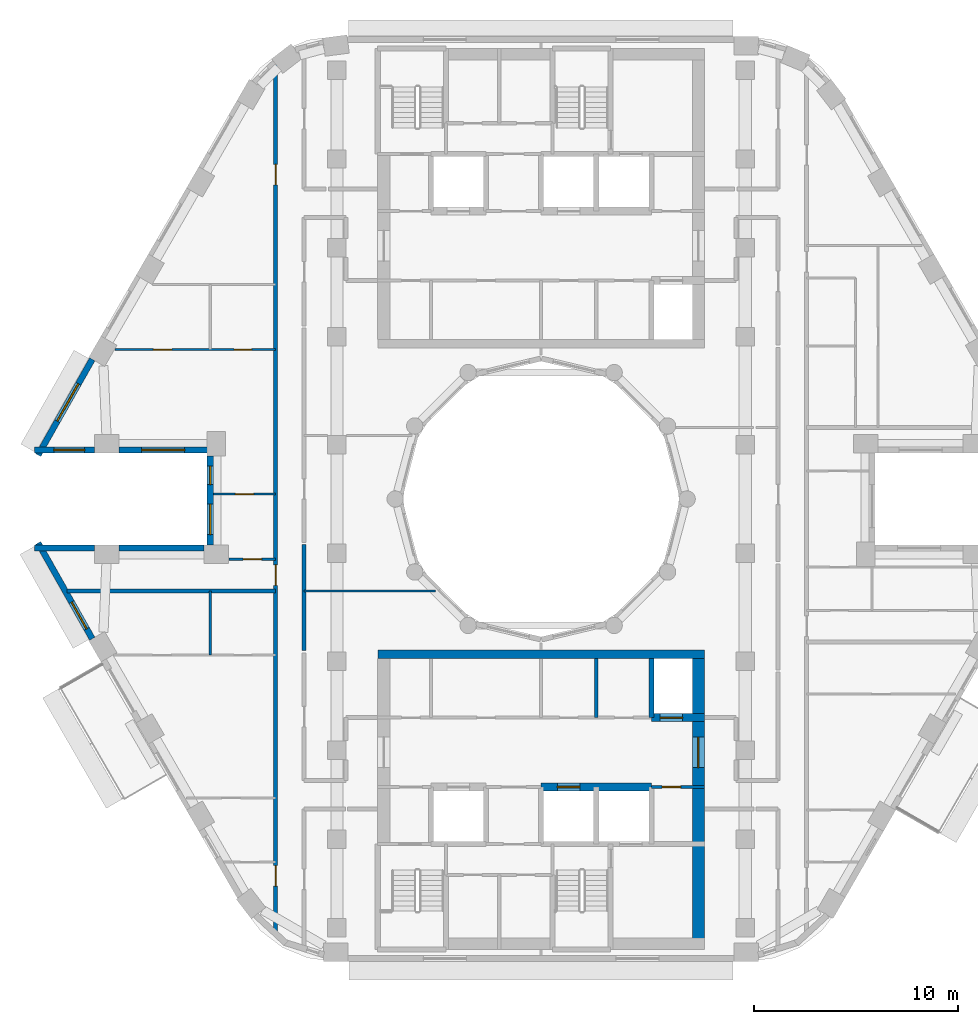
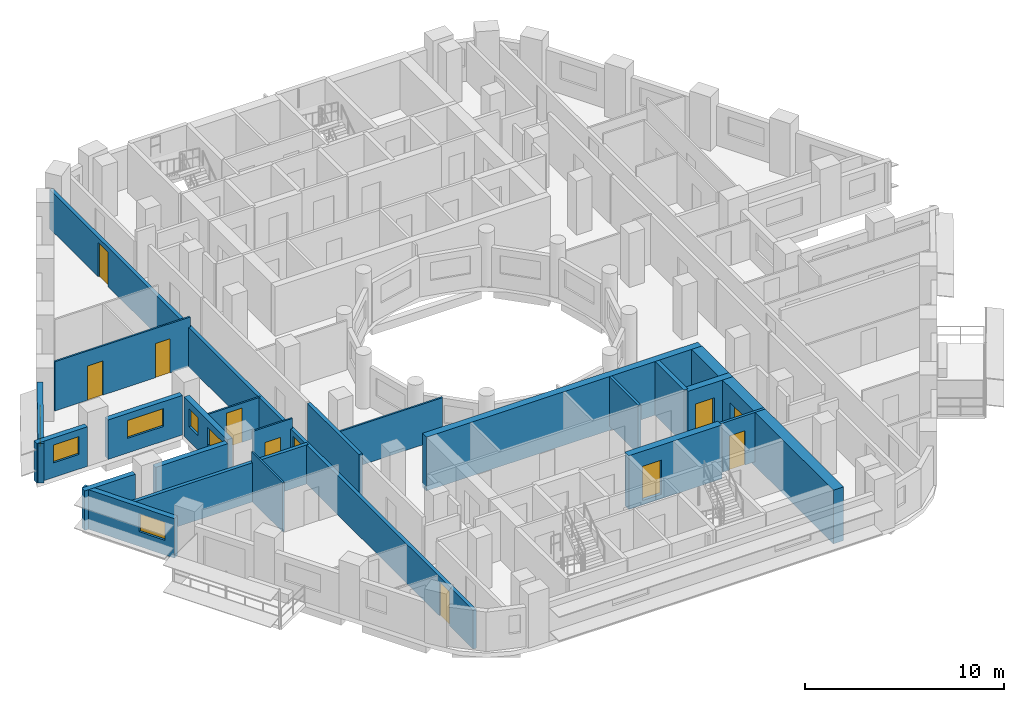
# One storey, part 4 of 16: 22 walls, 11 doors, 6 windows, 17 openings.
"""IFC4 building model written with IfcOpenShell, lengths in metres."""

import ifcopenshell
import ifcopenshell.guid

model = None  # the IFC model being written
_history = None  # IfcOwnerHistory: only IFC2X3 demands one
_inside = {}  # id of a spatial element -> (the spatial element, [elements in it])
_under = {}  # id of a project, library or spatial element -> (it, [spatial elements below it])
_declared = {}  # id of a project -> (the project, [libraries it declares])
_typed = {}  # id of a type object -> (the type object, [elements of that type])
_made_of = {}  # id of a material, layer set ... -> (it, [elements and type objects made of it])


def new_model(schema):
    """Start an empty IFC model of exactly this schema.

    Asked for "IFC4X3", IfcOpenShell would pick the latest addendum, in which some entities
    have other attributes; the version numbers below select the first issue.
    IFC2X3 requires an IfcOwnerHistory on every rooted entity: one is made here for all.
    """
    global model, _history
    if schema == "IFC4X3":
        model = ifcopenshell.file(schema_version=(4, 3, 0, 0))
    else:
        model = ifcopenshell.file(schema=schema)
    _inside.clear()
    _under.clear()
    _declared.clear()
    _typed.clear()
    _made_of.clear()
    _history = None
    if model.schema == "IFC2X3":
        org = make("IfcOrganization", Name="unknown")
        user = make(
            "IfcPersonAndOrganization",
            ThePerson=make("IfcPerson", FamilyName="unknown"),
            TheOrganization=org,
        )
        app = make(
            "IfcApplication",
            ApplicationDeveloper=org,
            Version="unknown",
            ApplicationFullName="unknown",
            ApplicationIdentifier="unknown",
        )
        _history = make(
            "IfcOwnerHistory",
            OwningUser=user,
            OwningApplication=app,
            ChangeAction="ADDED",
            CreationDate=0,
        )
    return model


def make(cls, **values):
    """One entity of the class cls with the attributes given. An attribute that is None is left unset."""
    return model.create_entity(
        cls, **{name: value for name, value in values.items() if value is not None}
    )


def rooted(cls, **values):
    """An entity with a GlobalId (a new one), such as an element, a storey or a relation."""
    return make(cls, GlobalId=ifcopenshell.guid.new(), OwnerHistory=_history, **values)


def si_unit(unit_type, name, prefix=None):
    """IfcSIUnit, for example si_unit("LENGTHUNIT", "METRE", prefix="MILLI")."""
    return make("IfcSIUnit", UnitType=unit_type, Prefix=prefix, Name=name)


def assignment(units):
    """IfcUnitAssignment: the units of a project."""
    return None if units is None else make("IfcUnitAssignment", Units=units)


def point(xyz):
    """IfcCartesianPoint."""
    return None if xyz is None else make("IfcCartesianPoint", Coordinates=xyz)


def direction(xyz):
    """IfcDirection."""
    return None if xyz is None else make("IfcDirection", DirectionRatios=xyz)


def frame(location, z_axis=None, x_axis=None):
    """IfcAxis2Placement3D, a coordinate frame: its origin and axes. An axis left out is left unset."""
    return make(
        "IfcAxis2Placement3D",
        Location=point(location),
        Axis=direction(z_axis),
        RefDirection=direction(x_axis),
    )


def frame_2d(location, x_axis=None):
    """IfcAxis2Placement2D, a coordinate frame in the plane: its origin and x axis."""
    return make(
        "IfcAxis2Placement2D", Location=point(location), RefDirection=direction(x_axis)
    )


def origin():
    """The frame at (0, 0, 0) with its axes left unset."""
    return frame((0.0, 0.0, 0.0))


def place(relative_to, where):
    """IfcLocalPlacement: puts the frame where relative to a parent placement (None: the world)."""
    return make(
        "IfcLocalPlacement", PlacementRelTo=relative_to, RelativePlacement=where
    )


def context(
    kind, dimensions, precision=None, world=None, true_north=None, identifier=None
):
    """IfcGeometricRepresentationContext, for example the 3D "Model" context."""
    return make(
        "IfcGeometricRepresentationContext",
        ContextIdentifier=identifier,
        ContextType=kind,
        CoordinateSpaceDimension=dimensions,
        Precision=precision,
        WorldCoordinateSystem=world,
        TrueNorth=true_north,
    )


def subcontext(parent, identifier, kind, view, scale=None):
    """IfcGeometricRepresentationSubContext, for example "Body" below "Model"."""
    return make(
        "IfcGeometricRepresentationSubContext",
        ContextIdentifier=identifier,
        ContextType=kind,
        ParentContext=parent,
        TargetScale=scale,
        TargetView=view,
    )


def project(units=None, contexts=None):
    """IfcProject with its units and contexts."""
    return rooted(
        "IfcProject",
        Name="project",
        RepresentationContexts=contexts,
        UnitsInContext=assignment(units),
    )


def spatial(cls, under=None, at=None, **own):
    """A site, building, storey or space (cls), placed at a placement, below another one or the project."""
    s = rooted(cls, ObjectPlacement=at, **own)
    if under is not None:
        _under.setdefault(under.id(), (under, []))[1].append(s)
    return s


def profile(cls, at=None, kind="AREA", **sizes):
    """A parametric profile (cls). Its sizes go by their IFC names, for example OverallWidth=200.0."""
    return make(cls, ProfileType=kind, Position=at, **sizes)


def rectangle(**sizes):
    """IfcRectangleProfileDef."""
    return profile("IfcRectangleProfileDef", **sizes)


def extrude(swept, where, along, depth):
    """IfcExtrudedAreaSolid: the profile swept, set in the frame where, extruded along a direction by depth."""
    return make(
        "IfcExtrudedAreaSolid",
        SweptArea=swept,
        Position=where,
        ExtrudedDirection=direction(along),
        Depth=depth,
    )


def shape(context_of_items, identifier, shape_type, items):
    """IfcShapeRepresentation: the items that make up one representation, for example the "Body"."""
    return make(
        "IfcShapeRepresentation",
        ContextOfItems=context_of_items,
        RepresentationIdentifier=identifier,
        RepresentationType=shape_type,
        Items=items,
    )


def material(Name=None, Category=None):
    """IfcMaterial."""
    return make("IfcMaterial", Name=Name, Category=Category)


def layer(
    of_material, thickness, ventilated=None, Name=None, Category=None, Priority=None
):
    """IfcMaterialLayer: one layer of a wall or slab, of a material (None: an air gap)."""
    return make(
        "IfcMaterialLayer",
        Material=of_material,
        LayerThickness=thickness,
        IsVentilated=ventilated,
        Name=Name,
        Category=Category,
        Priority=Priority,
    )


def layer_set(layers, Name=None):
    """IfcMaterialLayerSet."""
    return make("IfcMaterialLayerSet", MaterialLayers=layers, LayerSetName=Name)


def made_of(thing, what):
    """Note that an element or type object is made of a material, layer set ...; save() writes the relation."""
    if what is not None:
        _made_of.setdefault(what.id(), (what, []))[1].append(thing)
    return thing


def type_object(cls, material=None, **own):
    """A type object (cls), such as IfcWallType, which elements share."""
    return made_of(rooted(cls, **own), material)


def element(
    cls,
    number,
    at=None,
    inside=None,
    cuts=None,
    type_object=None,
    material=None,
    context=None,
    identifier="Body",
    shape_type=None,
    held_by="IfcProductDefinitionShape",
    body=None,
    shapes=None,
    **own,
):
    """One element of the class cls, such as IfcWall. Its Tag is "e" and its number.

    at: its placement. inside: the storey or other place that contains it. cuts: it is an
    opening in that element (IfcRelVoidsElement). A single representation is given by context,
    identifier, shape_type and body (its items); several are given by shapes. held_by: the class
    of the entity that holds the representations. save() writes the other relations.
    """
    e = rooted(cls, Tag="e%d" % number, ObjectPlacement=at, **own)
    if body is not None:
        shapes = [shape(context, identifier, shape_type, body)]
    if shapes is not None:
        e.Representation = make(held_by, Representations=shapes)
    if inside is not None:
        _inside.setdefault(inside.id(), (inside, []))[1].append(e)
    if cuts is not None:
        rooted(
            "IfcRelVoidsElement", RelatingBuildingElement=cuts, RelatedOpeningElement=e
        )
    if type_object is not None:
        _typed.setdefault(type_object.id(), (type_object, []))[1].append(e)
    return made_of(e, material)


def fill(opening, filler):
    """IfcRelFillsElement: the door or window that sits in an opening."""
    return rooted(
        "IfcRelFillsElement",
        RelatingOpeningElement=opening,
        RelatedBuildingElement=filler,
    )


def aggregate(whole, parts):
    """IfcRelAggregates: a whole, such as a stair, and the parts it consists of."""
    return rooted("IfcRelAggregates", RelatingObject=whole, RelatedObjects=parts)


def save(model, path):
    """Write the relations noted so far, then the file.

    IfcRelAggregates (storeys below a building ...), IfcRelContainedInSpatialStructure (elements
    in a storey), IfcRelDefinesByType, IfcRelAssociatesMaterial and IfcRelDeclares: one each for
    every whole, place, type object, material and project.
    """
    for whole, parts in _under.values():
        aggregate(whole, parts)
    for where, things in _inside.values():
        rooted(
            "IfcRelContainedInSpatialStructure",
            RelatedElements=things,
            RelatingStructure=where,
        )
    for kind, things in _typed.values():
        rooted("IfcRelDefinesByType", RelatedObjects=things, RelatingType=kind)
    for what, things in _made_of.values():
        rooted("IfcRelAssociatesMaterial", RelatedObjects=things, RelatingMaterial=what)
    for by, libraries in _declared.values():
        rooted("IfcRelDeclares", RelatingContext=by, RelatedDefinitions=libraries)
    model.write(path)


model = new_model("IFC4")

# Units and contexts
model_context = context("Model", 3, precision=1e-05, world=origin(), true_north=direction((0.0, 1.0)))
body_context = subcontext(model_context, "Body", "Model", "MODEL_VIEW")
ifc_project = project(units=[si_unit("LENGTHUNIT", "METRE"), si_unit("AREAUNIT", "SQUARE_METRE"), si_unit("VOLUMEUNIT", "CUBIC_METRE"), si_unit("PLANEANGLEUNIT", "RADIAN"), si_unit("MASSUNIT", "GRAM", prefix="KILO")], contexts=[model_context])

# Site, building, storey
site_placement = place(None, origin())
site = spatial("IfcSite", under=ifc_project, at=site_placement, CompositionType="ELEMENT")
building_placement = place(site_placement, origin())
building = spatial("IfcBuilding", under=site, at=building_placement, Name="Nakaniwa Court", CompositionType="ELEMENT")
storey_placement = place(building_placement, frame((0.0, 0.0, 196.5)))
storey = spatial("IfcBuildingStorey", under=building, at=storey_placement, Name="L51", CompositionType="ELEMENT", Elevation=196.5)

# Wall
ifc_material_1 = material(Name="Acoustic double stud partition")
ifc_layer_1 = layer(ifc_material_1, 0.199951171875)
ifc_layer_set_1 = layer_set([ifc_layer_1], Name="Acoustic double stud partition")
wall_type_1 = type_object("IfcWallType", Name="Acoustic double stud partition 200", PredefinedType="PARTITIONING", material=ifc_layer_set_1)
wall_1_placement = place(storey_placement, frame((68.39990234375, 72.5771484375, 0.0), z_axis=(0.0, 0.0, 1.0), x_axis=(0.0, 1.0, 0.0)))
element("IfcWall", 1, at=wall_1_placement, inside=storey, type_object=wall_type_1, Name="Partition PW-098", PredefinedType="PARTITIONING", context=body_context, shape_type="SweptSolid", body=[
    extrude(rectangle(XDim=5.185546875, YDim=0.199951171875, at=frame_2d((2.5927734375, 0.0))), origin(), (0.0, 0.0, 1.0), 3.02490234375),
])

# Wall, openings, doors
wall_2_placement = place(storey_placement, frame((67.0, 58.67431640625, 0.0), z_axis=(0.0, 0.0, 1.0), x_axis=(0.0, 1.0, 0.0)))
wall_2 = element("IfcWall", 2, at=wall_2_placement, inside=storey, type_object=wall_type_1, Name="Partition PW-102", PredefinedType="PARTITIONING", context=body_context, shape_type="SweptSolid", body=[
    extrude(rectangle(XDim=42.591796875, YDim=0.199951171875, at=frame_2d((21.2958984375, 0.0))), origin(), (0.0, 0.0, 1.0), 2.405029296875),
])
opening_1_placement = place(wall_2_placement, frame((2.3759765625, 0.0, 0.0)))
opening_1 = element("IfcOpeningElement", 3, at=opening_1_placement, cuts=wall_2, Name="Opening D-01-04", PredefinedType="OPENING", context=body_context, shape_type="SweptSolid", body=[
    extrude(rectangle(XDim=1.0, YDim=2.10009765625, at=frame_2d((0.5, 1.050048828125))), frame((0.0, 0.10986328125, 0.0), z_axis=(0.0, -1.0, 0.0), x_axis=(1.0, 0.0, 0.0)), (0.0, 0.0, 1.0), 0.219970703125),
])
opening_2_placement = place(wall_2_placement, frame((17.10107421875, 0.0, 0.0)))
opening_2 = element("IfcOpeningElement", 4, at=opening_2_placement, cuts=wall_2, Name="Opening D-01-05", PredefinedType="OPENING", context=body_context, shape_type="SweptSolid", body=[
    extrude(rectangle(XDim=1.0, YDim=2.10009765625, at=frame_2d((0.5, 1.050048828125))), frame((0.0, 0.10986328125, 0.0), z_axis=(0.0, -1.0, 0.0), x_axis=(1.0, 0.0, 0.0)), (0.0, 0.0, 1.0), 0.219970703125),
])
opening_3_placement = place(wall_2_placement, frame((36.70703125, 0.0, 0.0)))
opening_3 = element("IfcOpeningElement", 5, at=opening_3_placement, cuts=wall_2, Name="Opening D-02-10", PredefinedType="OPENING", context=body_context, shape_type="SweptSolid", body=[
    extrude(rectangle(XDim=1.0, YDim=2.10009765625, at=frame_2d((0.5, 1.050048828125))), frame((0.0, 0.10986328125, 0.0), z_axis=(0.0, -1.0, 0.0), x_axis=(1.0, 0.0, 0.0)), (0.0, 0.0, 1.0), 0.219970703125),
])
ifc_material_2 = material(Name="Solid core timber door set, black veneer", Category="wood")
door_type_1 = type_object("IfcDoorType", Name="Flat entrance door 1000", OperationType="NOTDEFINED", PredefinedType="DOOR", material=ifc_material_2)
door_1_placement = place(opening_1_placement, origin())
door_1 = element("IfcDoor", 6, at=door_1_placement, inside=storey, type_object=door_type_1, Name="Door D-01-04 L51-043", OperationType="SINGLE_SWING_RIGHT", OverallHeight=2.10009765625, OverallWidth=1.0, PredefinedType="DOOR", context=body_context, shape_type="SweptSolid", body=[
    extrude(rectangle(XDim=1.0, YDim=2.10009765625, at=frame_2d((0.5, 1.050048828125))), frame((0.0, 0.02490234375, 0.0), z_axis=(0.0, -1.0, 0.0), x_axis=(1.0, 0.0, 0.0)), (0.0, 0.0, 1.0), 0.050048828125),
])
fill(opening_1, door_1)
door_2_placement = place(opening_2_placement, origin())
door_2 = element("IfcDoor", 7, at=door_2_placement, inside=storey, type_object=door_type_1, Name="Door D-01-05 L51-049", OperationType="SINGLE_SWING_RIGHT", OverallHeight=2.10009765625, OverallWidth=1.0, PredefinedType="DOOR", context=body_context, shape_type="SweptSolid", body=[
    extrude(rectangle(XDim=1.0, YDim=2.10009765625, at=frame_2d((0.5, 1.050048828125))), frame((0.0, 0.02490234375, 0.0), z_axis=(0.0, -1.0, 0.0), x_axis=(1.0, 0.0, 0.0)), (0.0, 0.0, 1.0), 0.050048828125),
])
fill(opening_2, door_2)
door_type_2 = type_object("IfcDoorType", Name="Internal door 1000", OperationType="NOTDEFINED", PredefinedType="DOOR", material=ifc_material_2)
door_3_placement = place(opening_3_placement, origin())
door_3 = element("IfcDoor", 8, at=door_3_placement, inside=storey, type_object=door_type_2, Name="Door D-02-10 L51-057", OperationType="SINGLE_SWING_RIGHT", OverallHeight=2.10009765625, OverallWidth=1.0, PredefinedType="DOOR", context=body_context, shape_type="SweptSolid", body=[
    extrude(rectangle(XDim=1.0, YDim=2.10009765625, at=frame_2d((0.5, 1.050048828125))), frame((0.0, 0.02490234375, 0.0), z_axis=(0.0, -1.0, 0.0), x_axis=(1.0, 0.0, 0.0)), (0.0, 0.0, 1.0), 0.050048828125),
])
fill(opening_3, door_3)

# Wall
wall_3_placement = place(storey_placement, frame((56.79052734375, 75.5, 0.0), z_axis=(0.0, 0.0, 1.0), x_axis=(1.0, 0.0, 0.0)))
element("IfcWall", 9, at=wall_3_placement, inside=storey, type_object=wall_type_1, Name="Partition PW-132", PredefinedType="PARTITIONING", context=body_context, shape_type="SweptSolid", body=[
    extrude(rectangle(XDim=10.20849609375, YDim=0.199951171875, at=frame_2d((5.104248046875, 0.0))), origin(), (0.0, 0.0, 1.0), 2.405029296875),
])

# Wall, opening, window
ifc_material_3 = material(Name="Charcoal ceramic cladding")
ifc_layer_2 = layer(ifc_material_3, 0.02, Name="Ceramic cladding")
ifc_material_4 = material(Name="Ventilated air cavity")
ifc_layer_3 = layer(ifc_material_4, 0.04, ventilated=True, Name="Ventilated cavity")
ifc_material_5 = material(Name="Mineral wool insulation")
ifc_layer_4 = layer(ifc_material_5, 0.1, Name="Insulation")
ifc_material_6 = material(Name="Cement bonded sheathing board")
ifc_layer_5 = layer(ifc_material_6, 0.012, Name="Sheathing")
ifc_material_7 = material(Name="Cold-formed galvanised stud frame with mineral wool infill")
ifc_layer_6 = layer(ifc_material_7, 0.1, Name="Stud frame")
ifc_material_8 = material(Name="Fire-rated gypsum plasterboard lining")
ifc_layer_7 = layer(ifc_material_8, 0.028, Name="Lining")
ifc_layer_set_2 = layer_set([ifc_layer_2, ifc_layer_3, ifc_layer_4, ifc_layer_5, ifc_layer_6, ifc_layer_7], Name="Charcoal ceramic faced external wall system")
wall_type_2 = type_object("IfcWallType", Name="Black ceramic faced external wall 300", PredefinedType="SOLIDWALL", material=ifc_layer_set_2)
wall_4_placement = place(storey_placement, frame((58.023193359375, 86.843017578125, 0.0), z_axis=(0.0, 0.0, 1.0), x_axis=(-0.492033360928, -0.870576344575, 0.0)))
wall_4 = element("IfcWall", 10, at=wall_4_placement, inside=storey, type_object=wall_type_2, Name="L51 external wall 14", PredefinedType="SOLIDWALL", context=body_context, shape_type="SweptSolid", body=[
    extrude(rectangle(XDim=5.38671875, YDim=0.300048828125, at=frame_2d((2.693359375, 0.0))), origin(), (0.0, 0.0, 1.0), 2.425048828125),
])
opening_4_placement = place(wall_4_placement, frame((1.38037109375, 0.0, 0.89990234375)))
opening_4 = element("IfcOpeningElement", 11, at=opening_4_placement, cuts=wall_4, Name="Opening W7.17", PredefinedType="OPENING", context=body_context, shape_type="SweptSolid", body=[
    extrude(rectangle(XDim=2.10009765625, YDim=1.10009765625, at=frame_2d((1.050048828125, 0.550048828125))), frame((0.0, 0.159912109375, 0.0), z_axis=(0.0, -1.0, 0.0), x_axis=(1.0, 0.0, 0.0)), (0.0, 0.0, 1.0), 0.320068359375),
])
ifc_material_9 = material(Name="Black anodised aluminium frame with dark low-E laminated double glazing", Category="aluminium")
window_type_1 = type_object("IfcWindowType", Name="Dark glass window 2100x1100 sill 900", PartitioningType="SINGLE_PANEL", PredefinedType="WINDOW", material=ifc_material_9)
window_1_placement = place(opening_4_placement, origin())
window_1 = element("IfcWindow", 12, at=window_1_placement, inside=storey, type_object=window_type_1, Name="L51 living window 14-0", OverallHeight=1.10009765625, OverallWidth=2.10009765625, PartitioningType="SINGLE_PANEL", PredefinedType="WINDOW", context=body_context, shape_type="SweptSolid", body=[
    extrude(rectangle(XDim=2.10009765625, YDim=1.10009765625, at=frame_2d((1.050048828125, 0.550048828125))), frame((0.0, 0.030029296875, 0.0), z_axis=(0.0, -1.0, 0.0), x_axis=(1.0, 0.0, 0.0)), (0.0, 0.0, 1.0), 0.06005859375),
])
fill(opening_4, window_1)

wall_5_placement = place(storey_placement, frame((55.2021484375, 82.39990234375, 0.0), z_axis=(0.0, 0.0, 1.0), x_axis=(1.0, 0.0, 0.0)))
wall_5 = element("IfcWall", 13, at=wall_5_placement, inside=storey, type_object=wall_type_2, Name="L51 external wall 15", PredefinedType="SOLIDWALL", context=body_context, shape_type="SweptSolid", body=[
    extrude(rectangle(XDim=2.937744140625, YDim=0.300048828125, at=frame_2d((1.46875, 0.0))), origin(), (0.0, 0.0, 1.0), 2.425048828125),
])
opening_5_placement = place(wall_5_placement, frame((0.94384765625, 0.0, 0.89990234375)))
opening_5 = element("IfcOpeningElement", 14, at=opening_5_placement, cuts=wall_5, Name="Opening W5.18", PredefinedType="OPENING", context=body_context, shape_type="SweptSolid", body=[
    extrude(rectangle(XDim=1.5, YDim=1.10009765625, at=frame_2d((0.75, 0.550048828125))), frame((0.0, 0.159912109375, 0.0), z_axis=(0.0, -1.0, 0.0), x_axis=(1.0, 0.0, 0.0)), (0.0, 0.0, 1.0), 0.320068359375),
])
window_type_2 = type_object("IfcWindowType", Name="Dark glass window 1500x1100 sill 900", PartitioningType="SINGLE_PANEL", PredefinedType="WINDOW", material=ifc_material_9)
window_2_placement = place(opening_5_placement, origin())
window_2 = element("IfcWindow", 15, at=window_2_placement, inside=storey, type_object=window_type_2, Name="L51 living window 15-0", OverallHeight=1.10009765625, OverallWidth=1.5, PartitioningType="SINGLE_PANEL", PredefinedType="WINDOW", context=body_context, shape_type="SweptSolid", body=[
    extrude(rectangle(XDim=1.5, YDim=1.10009765625, at=frame_2d((0.75, 0.550048828125))), frame((0.0, 0.030029296875, 0.0), z_axis=(0.0, -1.0, 0.0), x_axis=(1.0, 0.0, 0.0)), (0.0, 0.0, 1.0), 0.06005859375),
])
fill(opening_5, window_2)

wall_6_placement = place(storey_placement, frame((59.33203125, 82.39990234375, 0.0), z_axis=(0.0, 0.0, 1.0), x_axis=(1.0, 0.0, 0.0)))
wall_6 = element("IfcWall", 16, at=wall_6_placement, inside=storey, type_object=wall_type_2, Name="L51 external wall 16", PredefinedType="SOLIDWALL", context=body_context, shape_type="SweptSolid", body=[
    extrude(rectangle(XDim=4.322509765625, YDim=0.300048828125, at=frame_2d((2.1611328125, 0.0))), origin(), (0.0, 0.0, 1.0), 2.425048828125),
])
opening_6_placement = place(wall_6_placement, frame((1.111083984375, 0.0, 0.89990234375)))
opening_6 = element("IfcOpeningElement", 17, at=opening_6_placement, cuts=wall_6, Name="Opening W7.19", PredefinedType="OPENING", context=body_context, shape_type="SweptSolid", body=[
    extrude(rectangle(XDim=2.10009765625, YDim=1.10009765625, at=frame_2d((1.050048828125, 0.550048828125))), frame((0.0, 0.159912109375, 0.0), z_axis=(0.0, -1.0, 0.0), x_axis=(1.0, 0.0, 0.0)), (0.0, 0.0, 1.0), 0.320068359375),
])
window_3_placement = place(opening_6_placement, origin())
window_3 = element("IfcWindow", 18, at=window_3_placement, inside=storey, type_object=window_type_1, Name="L51 living window 16-0", OverallHeight=1.10009765625, OverallWidth=2.10009765625, PartitioningType="SINGLE_PANEL", PredefinedType="WINDOW", context=body_context, shape_type="SweptSolid", body=[
    extrude(rectangle(XDim=2.10009765625, YDim=1.10009765625, at=frame_2d((1.050048828125, 0.550048828125))), frame((0.0, 0.030029296875, 0.0), z_axis=(0.0, -1.0, 0.0), x_axis=(1.0, 0.0, 0.0)), (0.0, 0.0, 1.0), 0.06005859375),
])
fill(opening_6, window_3)

# Wall, openings, windows
wall_7_placement = place(storey_placement, frame((63.800537109375, 82.10400390625, 0.0), z_axis=(0.0, 0.0, 1.0), x_axis=(0.0, -1.0, 0.0)))
wall_7 = element("IfcWall", 19, at=wall_7_placement, inside=storey, type_object=wall_type_2, Name="L51 external wall 17", PredefinedType="SOLIDWALL", context=body_context, shape_type="SweptSolid", body=[
    extrude(rectangle(XDim=4.35791015625, YDim=0.300048828125, at=frame_2d((2.178955078125, 0.0))), origin(), (0.0, 0.0, 1.0), 2.425048828125),
])
opening_7_placement = place(wall_7_placement, frame((0.496337890625, 0.0, 0.89990234375)))
opening_7 = element("IfcOpeningElement", 20, at=opening_7_placement, cuts=wall_7, Name="Opening W9.20", PredefinedType="OPENING", context=body_context, shape_type="SweptSolid", body=[
    extrude(rectangle(XDim=0.89990234375, YDim=1.10009765625, at=frame_2d((0.449951171875, 0.550048828125))), frame((0.0, 0.159912109375, 0.0), z_axis=(0.0, -1.0, 0.0), x_axis=(1.0, 0.0, 0.0)), (0.0, 0.0, 1.0), 0.320068359375),
])
opening_8_placement = place(wall_7_placement, frame((2.351318359375, 0.0, 0.89990234375)))
opening_8 = element("IfcOpeningElement", 21, at=opening_8_placement, cuts=wall_7, Name="Opening W5.21", PredefinedType="OPENING", context=body_context, shape_type="SweptSolid", body=[
    extrude(rectangle(XDim=1.5, YDim=1.10009765625, at=frame_2d((0.75, 0.550048828125))), frame((0.0, 0.159912109375, 0.0), z_axis=(0.0, -1.0, 0.0), x_axis=(1.0, 0.0, 0.0)), (0.0, 0.0, 1.0), 0.320068359375),
])
window_4_placement = place(opening_8_placement, origin())
window_4 = element("IfcWindow", 22, at=window_4_placement, inside=storey, type_object=window_type_2, Name="L51 habitable room window 17-1", OverallHeight=1.10009765625, OverallWidth=1.5, PartitioningType="SINGLE_PANEL", PredefinedType="WINDOW", context=body_context, shape_type="SweptSolid", body=[
    extrude(rectangle(XDim=1.5, YDim=1.10009765625, at=frame_2d((0.75, 0.550048828125))), frame((0.0, 0.030029296875, 0.0), z_axis=(0.0, -1.0, 0.0), x_axis=(1.0, 0.0, 0.0)), (0.0, 0.0, 1.0), 0.06005859375),
])
fill(opening_8, window_4)
window_type_3 = type_object("IfcWindowType", Name="Dark glass window 900x1100 sill 900", PartitioningType="SINGLE_PANEL", PredefinedType="WINDOW", material=ifc_material_9)
window_5_placement = place(opening_7_placement, origin())
window_5 = element("IfcWindow", 23, at=window_5_placement, inside=storey, type_object=window_type_3, Name="L51 living window 17-0", OverallHeight=1.10009765625, OverallWidth=0.89990234375, PartitioningType="SINGLE_PANEL", PredefinedType="WINDOW", context=body_context, shape_type="SweptSolid", body=[
    extrude(rectangle(XDim=0.89990234375, YDim=1.10009765625, at=frame_2d((0.449951171875, 0.550048828125))), frame((0.0, 0.030029296875, 0.0), z_axis=(0.0, -1.0, 0.0), x_axis=(1.0, 0.0, 0.0)), (0.0, 0.0, 1.0), 0.06005859375),
])
fill(opening_7, window_5)

# Walls
wall_8_placement = place(storey_placement, frame((63.50439453125, 77.60009765625, 0.0), z_axis=(0.0, 0.0, 1.0), x_axis=(-1.0, 0.0, 0.0)))
element("IfcWall", 24, at=wall_8_placement, inside=storey, type_object=wall_type_2, Name="L51 external wall 18", PredefinedType="SOLIDWALL", context=body_context, shape_type="SweptSolid", body=[
    extrude(rectangle(XDim=4.17236328125, YDim=0.300048828125, at=frame_2d((2.086181640625, 0.0))), origin(), (0.0, 0.0, 1.0), 2.425048828125),
])
wall_9_placement = place(storey_placement, frame((58.139892578125, 77.60009765625, 0.0), z_axis=(0.0, 0.0, 1.0), x_axis=(-1.0, 0.0, 0.0)))
element("IfcWall", 25, at=wall_9_placement, inside=storey, type_object=wall_type_2, Name="L51 external wall 19", PredefinedType="SOLIDWALL", context=body_context, shape_type="SweptSolid", body=[
    extrude(rectangle(XDim=2.937744140625, YDim=0.300048828125, at=frame_2d((1.46875, 0.0))), origin(), (0.0, 0.0, 1.0), 2.425048828125),
])

# Wall, opening, window
wall_10_placement = place(storey_placement, frame((55.372802734375, 77.846435546875, 0.0), z_axis=(0.0, 0.0, 1.0), x_axis=(0.492033360928, -0.870576344575, 0.0)))
wall_10 = element("IfcWall", 26, at=wall_10_placement, inside=storey, type_object=wall_type_2, Name="L51 external wall 20", PredefinedType="SOLIDWALL", context=body_context, shape_type="SweptSolid", body=[
    extrude(rectangle(XDim=5.38671875, YDim=0.300048828125, at=frame_2d((2.693359375, 0.0))), origin(), (0.0, 0.0, 1.0), 2.425048828125),
])
opening_9_placement = place(wall_10_placement, frame((3.326171875, 0.0, 0.89990234375)))
opening_9 = element("IfcOpeningElement", 27, at=opening_9_placement, cuts=wall_10, Name="Opening W5.22", PredefinedType="OPENING", context=body_context, shape_type="SweptSolid", body=[
    extrude(rectangle(XDim=1.5, YDim=1.10009765625, at=frame_2d((0.75, 0.550048828125))), frame((0.0, 0.159912109375, 0.0), z_axis=(0.0, -1.0, 0.0), x_axis=(1.0, 0.0, 0.0)), (0.0, 0.0, 1.0), 0.320068359375),
])
window_6_placement = place(opening_9_placement, origin())
window_6 = element("IfcWindow", 28, at=window_6_placement, inside=storey, type_object=window_type_2, Name="L51 habitable room window 20-1", OverallHeight=1.10009765625, OverallWidth=1.5, PartitioningType="SINGLE_PANEL", PredefinedType="WINDOW", context=body_context, shape_type="SweptSolid", body=[
    extrude(rectangle(XDim=1.5, YDim=1.10009765625, at=frame_2d((0.75, 0.550048828125))), frame((0.0, 0.030029296875, 0.0), z_axis=(0.0, -1.0, 0.0), x_axis=(1.0, 0.0, 0.0)), (0.0, 0.0, 1.0), 0.06005859375),
])
fill(opening_9, window_6)

# Wall
ifc_material_10 = material(Name="Blockwork partition", Category="masonry")
ifc_layer_8 = layer(ifc_material_10, 0.14990234375)
ifc_layer_set_3 = layer_set([ifc_layer_8], Name="Blockwork partition")
wall_type_3 = type_object("IfcWallType", Name="Blockwork partition 150", PredefinedType="PARTITIONING", material=ifc_layer_set_3)
wall_11_placement = place(storey_placement, frame((82.699951171875, 69.300048828125, 0.0), z_axis=(0.0, 0.0, 1.0), x_axis=(0.0, 1.0, 0.0)))
element("IfcWall", 29, at=wall_11_placement, inside=storey, type_object=wall_type_3, Name="Partition PW-043", PredefinedType="PARTITIONING", context=body_context, shape_type="SweptSolid", body=[
    extrude(rectangle(XDim=2.89990234375, YDim=0.14990234375, at=frame_2d((1.449951171875, 0.0))), origin(), (0.0, 0.0, 1.0), 3.02490234375),
])

# Wall, opening, door
wall_12_placement = place(storey_placement, frame((88.0, 65.89990234375, 0.0), z_axis=(0.0, 0.0, 1.0), x_axis=(-1.0, 0.0, 0.0)))
wall_12 = element("IfcWall", 30, at=wall_12_placement, inside=storey, type_object=wall_type_3, Name="Partition PW-046", PredefinedType="PARTITIONING", context=body_context, shape_type="SweptSolid", body=[
    extrude(rectangle(XDim=2.60302734375, YDim=0.14990234375, at=frame_2d((1.301513671875, 0.0))), origin(), (0.0, 0.0, 1.0), 3.02490234375),
])
opening_10_placement = place(wall_12_placement, frame((1.175048828125, 0.0, 0.0)))
opening_10 = element("IfcOpeningElement", 31, at=opening_10_placement, cuts=wall_12, Name="Opening D-05-12", PredefinedType="OPENING", context=body_context, shape_type="SweptSolid", body=[
    extrude(rectangle(XDim=0.89990234375, YDim=2.10009765625, at=frame_2d((0.449951171875, 1.050048828125))), frame((0.0, 0.0849609375, 0.0), z_axis=(0.0, -1.0, 0.0), x_axis=(1.0, 0.0, 0.0)), (0.0, 0.0, 1.0), 0.169921875),
])
ifc_material_11 = material(Name="Fire rated steel door set", Category="steel")
door_type_3 = type_object("IfcDoorType", Name="Service room door 900", OperationType="NOTDEFINED", PredefinedType="DOOR", material=ifc_material_11)
door_4_placement = place(opening_10_placement, origin())
door_4 = element("IfcDoor", 32, at=door_4_placement, inside=storey, type_object=door_type_3, Name="Door D-05-12 L51-019", OperationType="SINGLE_SWING_RIGHT", OverallHeight=2.10009765625, OverallWidth=0.89990234375, PredefinedType="DOOR", context=body_context, shape_type="SweptSolid", body=[
    extrude(rectangle(XDim=0.89990234375, YDim=2.10009765625, at=frame_2d((0.449951171875, 1.050048828125))), frame((0.0, 0.02490234375, 0.0), z_axis=(0.0, -1.0, 0.0), x_axis=(1.0, 0.0, 0.0)), (0.0, 0.0, 1.0), 0.050048828125),
])
fill(opening_10, door_4)

ifc_material_12 = material(Name="Concrete C80/100", Category="concrete")
ifc_layer_9 = layer(ifc_material_12, 0.60009765625)
ifc_layer_set_4 = layer_set([ifc_layer_9], Name="Concrete C80/100")
wall_type_4 = type_object("IfcWallType", Name="Concrete core side wall 600 C80", PredefinedType="SHEAR", material=ifc_layer_set_4)
wall_13_placement = place(storey_placement, frame((87.699951171875, 72.199951171875, -0.27490234375), z_axis=(0.0, 0.0, 1.0), x_axis=(0.0, -1.0, 0.0)))
wall_13 = element("IfcWall", 33, at=wall_13_placement, inside=storey, type_object=wall_type_4, Name="Core wall SW-41", PredefinedType="SHEAR", context=body_context, shape_type="SweptSolid", body=[
    extrude(rectangle(XDim=14.25, YDim=0.60009765625, at=frame_2d((7.125, 0.0))), origin(), (0.0, 0.0, 1.0), 3.2998046875),
])
opening_11_placement = place(wall_13_placement, frame((3.85205078125, 0.0, 0.27490234375)))
opening_11 = element("IfcOpeningElement", 34, at=opening_11_placement, cuts=wall_13, Name="Opening D-07-03", PredefinedType="OPENING", context=body_context, shape_type="SweptSolid", body=[
    extrude(rectangle(XDim=1.5, YDim=2.10009765625, at=frame_2d((0.75, 1.050048828125))), frame((0.0, 0.31005859375, 0.0), z_axis=(0.0, -1.0, 0.0), x_axis=(1.0, 0.0, 0.0)), (0.0, 0.0, 1.0), 0.6201171875),
])
ifc_material_13 = material(Name="Glazed fire rated steel double door set", Category="steel")
door_type_4 = type_object("IfcDoorType", Name="Lobby double door 1500", OperationType="NOTDEFINED", PredefinedType="DOOR", material=ifc_material_13)
door_5_placement = place(opening_11_placement, origin())
door_5 = element("IfcDoor", 35, at=door_5_placement, inside=storey, type_object=door_type_4, Name="Door D-07-03 L51-061", OperationType="DOUBLE_DOOR_SINGLE_SWING", OverallHeight=2.10009765625, OverallWidth=1.5, PredefinedType="DOOR", context=body_context, shape_type="SweptSolid", body=[
    extrude(rectangle(XDim=1.5, YDim=2.10009765625, at=frame_2d((0.75, 1.050048828125))), frame((0.0, 0.02490234375, 0.0), z_axis=(0.0, -1.0, 0.0), x_axis=(1.0, 0.0, 0.0)), (0.0, 0.0, 1.0), 0.050048828125),
])
fill(opening_11, door_5)

ifc_layer_10 = layer(ifc_material_12, 0.39990234375)
ifc_layer_set_5 = layer_set([ifc_layer_10], Name="Concrete C80/100")
wall_type_5 = type_object("IfcWallType", Name="Concrete core spine wall 400 C80", PredefinedType="SHEAR", material=ifc_layer_set_5)
wall_14_placement = place(storey_placement, frame((85.39990234375, 69.300048828125, -0.27490234375), z_axis=(0.0, 0.0, 1.0), x_axis=(1.0, 0.0, 0.0)))
wall_14 = element("IfcWall", 36, at=wall_14_placement, inside=storey, type_object=wall_type_5, Name="Core wall SW-40", PredefinedType="SHEAR", context=body_context, shape_type="SweptSolid", body=[
    extrude(rectangle(XDim=2.60009765625, YDim=0.39990234375, at=frame_2d((1.300048828125, 0.0))), origin(), (0.0, 0.0, 1.0), 3.2998046875),
])
opening_12_placement = place(wall_14_placement, frame((0.425048828125, 0.0, 0.27490234375)))
opening_12 = element("IfcOpeningElement", 37, at=opening_12_placement, cuts=wall_14, Name="Opening LD05", PredefinedType="OPENING", context=body_context, shape_type="SweptSolid", body=[
    extrude(rectangle(XDim=1.10009765625, YDim=2.10009765625, at=frame_2d((0.550048828125, 1.050048828125))), frame((0.0, 0.2099609375, 0.0), z_axis=(0.0, -1.0, 0.0), x_axis=(1.0, 0.0, 0.0)), (0.0, 0.0, 1.0), 0.419921875),
])
ifc_material_14 = material(Name="Stainless steel sliding lift landing door", Category="steel")
door_type_5 = type_object("IfcDoorType", Name="Lift landing door 1100", OperationType="NOTDEFINED", PredefinedType="DOOR", material=ifc_material_14)
door_6_placement = place(opening_12_placement, origin())
door_6 = element("IfcDoor", 38, at=door_6_placement, inside=storey, type_object=door_type_5, Name="Lift landing door LD05 L51-005", OperationType="SLIDING_TO_LEFT", OverallHeight=2.10009765625, OverallWidth=1.10009765625, PredefinedType="DOOR", context=body_context, shape_type="SweptSolid", body=[
    extrude(rectangle(XDim=1.10009765625, YDim=2.10009765625, at=frame_2d((0.550048828125, 1.050048828125))), frame((0.0, 0.02490234375, 0.0), z_axis=(0.0, -1.0, 0.0), x_axis=(1.0, 0.0, 0.0)), (0.0, 0.0, 1.0), 0.050048828125),
])
fill(opening_12, door_6)

wall_15_placement = place(storey_placement, frame((79.9970703125, 65.89990234375, -0.27490234375), z_axis=(0.0, 0.0, 1.0), x_axis=(1.0, 0.0, 0.0)))
wall_15 = element("IfcWall", 39, at=wall_15_placement, inside=storey, type_object=wall_type_5, Name="Core wall SW-48", PredefinedType="SHEAR", context=body_context, shape_type="SweptSolid", body=[
    extrude(rectangle(XDim=5.406005859375, YDim=0.39990234375, at=frame_2d((2.703125, 0.0))), origin(), (0.0, 0.0, 1.0), 3.2998046875),
])
opening_13_placement = place(wall_15_placement, frame((0.802978515625, 0.0, 0.27490234375)))
opening_13 = element("IfcOpeningElement", 40, at=opening_13_placement, cuts=wall_15, Name="Opening LD07", PredefinedType="OPENING", context=body_context, shape_type="SweptSolid", body=[
    extrude(rectangle(XDim=1.10009765625, YDim=2.10009765625, at=frame_2d((0.550048828125, 1.050048828125))), frame((0.0, 0.2099609375, 0.0), z_axis=(0.0, -1.0, 0.0), x_axis=(1.0, 0.0, 0.0)), (0.0, 0.0, 1.0), 0.419921875),
])
door_7_placement = place(opening_13_placement, origin())
door_7 = element("IfcDoor", 41, at=door_7_placement, inside=storey, type_object=door_type_5, Name="Lift landing door LD07 L51-007", OperationType="SLIDING_TO_LEFT", OverallHeight=2.10009765625, OverallWidth=1.10009765625, PredefinedType="DOOR", context=body_context, shape_type="SweptSolid", body=[
    extrude(rectangle(XDim=1.10009765625, YDim=2.10009765625, at=frame_2d((0.550048828125, 1.050048828125))), frame((0.0, 0.02490234375, 0.0), z_axis=(0.0, -1.0, 0.0), x_axis=(1.0, 0.0, 0.0)), (0.0, 0.0, 1.0), 0.050048828125),
])
fill(opening_13, door_7)

# Walls
ifc_layer_11 = layer(ifc_material_12, 0.39990234375)
ifc_layer_set_6 = layer_set([ifc_layer_11], Name="Concrete C80/100")
wall_type_6 = type_object("IfcWallType", Name="Concrete core well wall 400 C80", PredefinedType="SHEAR", material=ifc_layer_set_6)
wall_16_placement = place(storey_placement, frame((72.00390625, 72.39990234375, -0.27490234375), z_axis=(0.0, 0.0, 1.0), x_axis=(1.0, 0.0, 0.0)))
element("IfcWall", 42, at=wall_16_placement, inside=storey, type_object=wall_type_6, Name="Core wall SW-141", PredefinedType="SHEAR", context=body_context, shape_type="SweptSolid", body=[
    extrude(rectangle(XDim=15.9921875, YDim=0.39990234375, at=frame_2d((7.99609375, 0.0))), origin(), (0.0, 0.0, 1.0), 3.2998046875),
])
ifc_layer_12 = layer(ifc_material_12, 0.25)
ifc_layer_set_7 = layer_set([ifc_layer_12], Name="Concrete C80/100")
wall_type_7 = type_object("IfcWallType", Name="Concrete shaft wall 250 C80", PredefinedType="SHEAR", material=ifc_layer_set_7)
wall_17_placement = place(storey_placement, frame((85.39990234375, 69.300048828125, -0.27490234375), z_axis=(0.0, 0.0, 1.0), x_axis=(0.0, 1.0, 0.0)))
element("IfcWall", 43, at=wall_17_placement, inside=storey, type_object=wall_type_7, Name="Core wall SW-39", PredefinedType="SHEAR", context=body_context, shape_type="SweptSolid", body=[
    extrude(rectangle(XDim=2.89990234375, YDim=0.25, at=frame_2d((1.449951171875, 0.0))), origin(), (0.0, 0.0, 1.0), 3.2998046875),
])
ifc_material_15 = material(Name="Single stud plasterboard partition")
ifc_layer_13 = layer(ifc_material_15, 0.10009765625)
ifc_layer_set_8 = layer_set([ifc_layer_13], Name="Single stud plasterboard partition")
wall_type_8 = type_object("IfcWallType", Name="Single stud plasterboard partition 100", PredefinedType="PARTITIONING", material=ifc_layer_set_8)
wall_18_placement = place(storey_placement, frame((63.799072265625, 72.35595703125, 0.0), z_axis=(0.0, 0.0, 1.0), x_axis=(0.0, 1.0, 0.0)))
element("IfcWall", 44, at=wall_18_placement, inside=storey, type_object=wall_type_8, Name="Partition PW-130", PredefinedType="PARTITIONING", context=body_context, shape_type="SweptSolid", body=[
    extrude(rectangle(XDim=3.14404296875, YDim=0.10009765625, at=frame_2d((1.572021484375, 0.0))), origin(), (0.0, 0.0, 1.0), 3.02490234375),
])
wall_19_placement = place(storey_placement, frame((68.40087890625, 75.5, 0.0), z_axis=(0.0, 0.0, 1.0), x_axis=(1.0, 0.0, 0.0)))
element("IfcWall", 45, at=wall_19_placement, inside=storey, type_object=wall_type_8, Name="Partition PW-133", PredefinedType="PARTITIONING", context=body_context, shape_type="SweptSolid", body=[
    extrude(rectangle(XDim=6.42578125, YDim=0.10009765625, at=frame_2d((3.212890625, 0.0))), origin(), (0.0, 0.0, 1.0), 2.5048828125),
])

# Wall, opening, door
wall_20_placement = place(storey_placement, frame((64.720458984375, 77.050048828125, 0.0), z_axis=(0.0, 0.0, 1.0), x_axis=(1.0, 0.0, 0.0)))
wall_20 = element("IfcWall", 46, at=wall_20_placement, inside=storey, type_object=wall_type_8, Name="Partition PW-134", PredefinedType="PARTITIONING", context=body_context, shape_type="SweptSolid", body=[
    extrude(rectangle(XDim=2.278564453125, YDim=0.10009765625, at=frame_2d((1.13916015625, 0.0))), origin(), (0.0, 0.0, 1.0), 3.02490234375),
])
opening_14_placement = place(wall_20_placement, frame((0.68896484375, 0.0, 0.0)))
opening_14 = element("IfcOpeningElement", 47, at=opening_14_placement, cuts=wall_20, Name="Opening D-33-11", PredefinedType="OPENING", context=body_context, shape_type="SweptSolid", body=[
    extrude(rectangle(XDim=0.89990234375, YDim=2.10009765625, at=frame_2d((0.449951171875, 1.050048828125))), frame((0.0, 0.06005859375, 0.0), z_axis=(0.0, -1.0, 0.0), x_axis=(1.0, 0.0, 0.0)), (0.0, 0.0, 1.0), 0.1201171875),
])
door_type_6 = type_object("IfcDoorType", Name="Internal door 900", OperationType="NOTDEFINED", PredefinedType="DOOR", material=ifc_material_2)
door_8_placement = place(opening_14_placement, origin())
door_8 = element("IfcDoor", 48, at=door_8_placement, inside=storey, type_object=door_type_6, Name="Door D-33-11 L51-050", OperationType="SINGLE_SWING_LEFT", OverallHeight=2.10009765625, OverallWidth=0.89990234375, PredefinedType="DOOR", context=body_context, shape_type="SweptSolid", body=[
    extrude(rectangle(XDim=0.89990234375, YDim=2.10009765625, at=frame_2d((0.449951171875, 1.050048828125))), frame((0.0, 0.02490234375, 0.0), z_axis=(0.0, -1.0, 0.0), x_axis=(1.0, 0.0, 0.0)), (0.0, 0.0, 1.0), 0.050048828125),
])
fill(opening_14, door_8)

wall_21_placement = place(storey_placement, frame((63.950439453125, 80.236083984375, 0.0), z_axis=(0.0, 0.0, 1.0), x_axis=(1.0, 0.0, 0.0)))
wall_21 = element("IfcWall", 49, at=wall_21_placement, inside=storey, type_object=wall_type_8, Name="Partition PW-135", PredefinedType="PARTITIONING", context=body_context, shape_type="SweptSolid", body=[
    extrude(rectangle(XDim=3.048583984375, YDim=0.10009765625, at=frame_2d((1.5244140625, 0.0))), origin(), (0.0, 0.0, 1.0), 2.405029296875),
])
opening_15_placement = place(wall_21_placement, frame((1.073974609375, 0.0, 0.0)))
opening_15 = element("IfcOpeningElement", 50, at=opening_15_placement, cuts=wall_21, Name="Opening D-33-12", PredefinedType="OPENING", context=body_context, shape_type="SweptSolid", body=[
    extrude(rectangle(XDim=0.89990234375, YDim=2.10009765625, at=frame_2d((0.449951171875, 1.050048828125))), frame((0.0, 0.06005859375, 0.0), z_axis=(0.0, -1.0, 0.0), x_axis=(1.0, 0.0, 0.0)), (0.0, 0.0, 1.0), 0.1201171875),
])
door_9_placement = place(opening_15_placement, origin())
door_9 = element("IfcDoor", 51, at=door_9_placement, inside=storey, type_object=door_type_6, Name="Door D-33-12 L51-051", OperationType="SINGLE_SWING_RIGHT", OverallHeight=2.10009765625, OverallWidth=0.89990234375, PredefinedType="DOOR", context=body_context, shape_type="SweptSolid", body=[
    extrude(rectangle(XDim=0.89990234375, YDim=2.10009765625, at=frame_2d((0.449951171875, 1.050048828125))), frame((0.0, 0.02490234375, 0.0), z_axis=(0.0, -1.0, 0.0), x_axis=(1.0, 0.0, 0.0)), (0.0, 0.0, 1.0), 0.050048828125),
])
fill(opening_15, door_9)

# Wall, openings, doors
wall_22_placement = place(storey_placement, frame((59.13134765625, 87.31396484375, 0.0), z_axis=(0.0, 0.0, 1.0), x_axis=(1.0, 0.0, 0.0)))
wall_22 = element("IfcWall", 52, at=wall_22_placement, inside=storey, type_object=wall_type_8, Name="Partition PW-136", PredefinedType="PARTITIONING", context=body_context, shape_type="SweptSolid", body=[
    extrude(rectangle(XDim=7.86767578125, YDim=0.10009765625, at=frame_2d((3.933837890625, 0.0))), origin(), (0.0, 0.0, 1.0), 3.02490234375),
])
opening_16_placement = place(wall_22_placement, frame((5.843017578125, 0.0, 0.0)))
opening_16 = element("IfcOpeningElement", 53, at=opening_16_placement, cuts=wall_22, Name="Opening D-03-05", PredefinedType="OPENING", context=body_context, shape_type="SweptSolid", body=[
    extrude(rectangle(XDim=0.85009765625, YDim=2.10009765625, at=frame_2d((0.425048828125, 1.050048828125))), frame((0.0, 0.06005859375, 0.0), z_axis=(0.0, -1.0, 0.0), x_axis=(1.0, 0.0, 0.0)), (0.0, 0.0, 1.0), 0.1201171875),
])
opening_17_placement = place(wall_22_placement, frame((1.884033203125, 0.0, 0.0)))
opening_17 = element("IfcOpeningElement", 54, at=opening_17_placement, cuts=wall_22, Name="Opening D-33-13", PredefinedType="OPENING", context=body_context, shape_type="SweptSolid", body=[
    extrude(rectangle(XDim=0.89990234375, YDim=2.10009765625, at=frame_2d((0.449951171875, 1.050048828125))), frame((0.0, 0.06005859375, 0.0), z_axis=(0.0, -1.0, 0.0), x_axis=(1.0, 0.0, 0.0)), (0.0, 0.0, 1.0), 0.1201171875),
])
ifc_material_16 = material(Name="Moisture sealed timber door set", Category="wood")
door_type_7 = type_object("IfcDoorType", Name="Bathroom door 850", OperationType="NOTDEFINED", PredefinedType="DOOR", material=ifc_material_16)
door_10_placement = place(opening_16_placement, origin())
door_10 = element("IfcDoor", 55, at=door_10_placement, inside=storey, type_object=door_type_7, Name="Door D-03-05 L51-052", OperationType="SINGLE_SWING_LEFT", OverallHeight=2.10009765625, OverallWidth=0.85009765625, PredefinedType="DOOR", context=body_context, shape_type="SweptSolid", body=[
    extrude(rectangle(XDim=0.85009765625, YDim=2.10009765625, at=frame_2d((0.425048828125, 1.050048828125))), frame((0.0, 0.02490234375, 0.0), z_axis=(0.0, -1.0, 0.0), x_axis=(1.0, 0.0, 0.0)), (0.0, 0.0, 1.0), 0.050048828125),
])
fill(opening_16, door_10)
door_11_placement = place(opening_17_placement, origin())
door_11 = element("IfcDoor", 56, at=door_11_placement, inside=storey, type_object=door_type_6, Name="Door D-33-13 L51-053", OperationType="SINGLE_SWING_RIGHT", OverallHeight=2.10009765625, OverallWidth=0.89990234375, PredefinedType="DOOR", context=body_context, shape_type="SweptSolid", body=[
    extrude(rectangle(XDim=0.89990234375, YDim=2.10009765625, at=frame_2d((0.449951171875, 1.050048828125))), frame((0.0, 0.02490234375, 0.0), z_axis=(0.0, -1.0, 0.0), x_axis=(1.0, 0.0, 0.0)), (0.0, 0.0, 1.0), 0.050048828125),
])
fill(opening_17, door_11)

save(model, "model.ifc")
